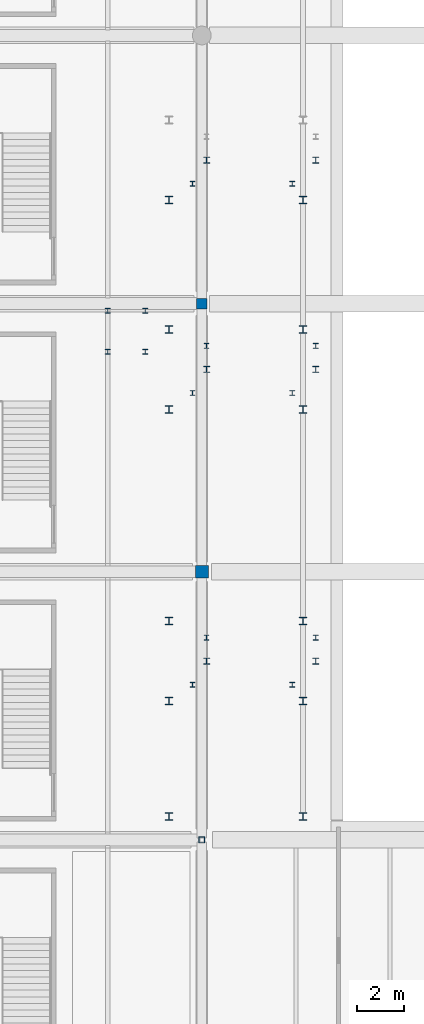
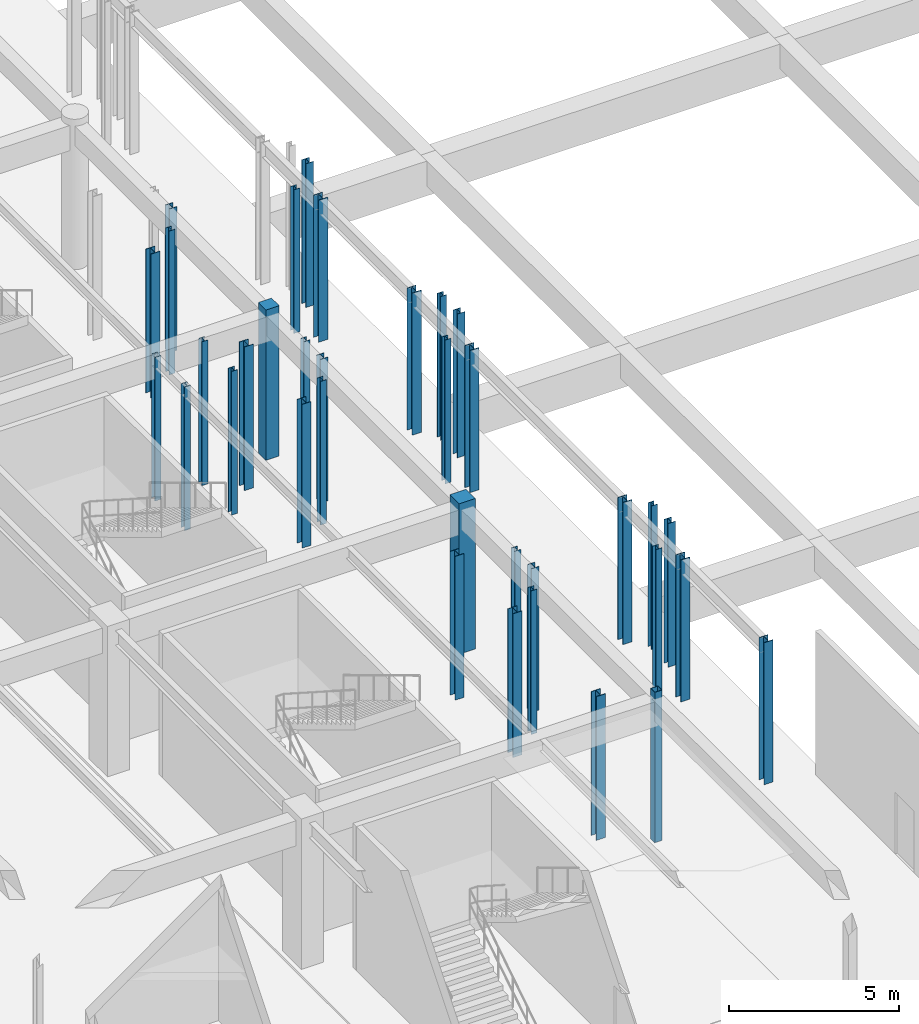
# One storey, part 19 of 113: 35 columns.
"""IFC4 building model written with IfcOpenShell, lengths in metres."""

from ifc_helpers import new_model, si_unit, direction, frame, origin, origin_2d, place, context, subcontext, project, spatial, rectangle, hollow_rectangle, i_section, extrude, material, material_profile, profile_set, type_object, element, save


model = new_model("IFC4")

# Units and contexts
model_context = context("Model", 3, precision=1e-05, world=origin(), true_north=direction((0.0, 1.0)))
body_context = subcontext(model_context, "Body", "Model", "MODEL_VIEW")
ifc_project = project(units=[si_unit("LENGTHUNIT", "METRE"), si_unit("AREAUNIT", "SQUARE_METRE"), si_unit("VOLUMEUNIT", "CUBIC_METRE"), si_unit("PLANEANGLEUNIT", "RADIAN"), si_unit("MASSUNIT", "GRAM", prefix="KILO"), si_unit("POWERUNIT", "WATT"), si_unit("THERMODYNAMICTEMPERATUREUNIT", "KELVIN")], contexts=[model_context])

# Site, building, storey
site_placement = place(None, origin())
site = spatial("IfcSite", under=ifc_project, at=site_placement, CompositionType="ELEMENT")
building_placement = place(site_placement, origin())
building = spatial("IfcBuilding", under=site, at=building_placement, Name="Kelmbourne Parkland Aquatics Centre", CompositionType="ELEMENT")
storey_placement = place(building_placement, origin())
storey = spatial("IfcBuildingStorey", under=building, at=storey_placement, Name="L00", CompositionType="ELEMENT", Elevation=0.0)

# Columns
ifc_material_1 = material(Name="Concrete C40/50", Category="concrete")
ifc_material_profile_1 = material_profile(ifc_material_1, rectangle(XDim=0.550048828125, YDim=0.550048828125, at=origin_2d()), Name="RC 550x550")
ifc_profile_set_1 = profile_set([ifc_material_profile_1], Name="Concrete C40/50")
column_type_1 = type_object("IfcColumnType", Name="COL-C07", PredefinedType="COLUMN", material=ifc_profile_set_1)
column_1_placement = place(storey_placement, frame((140.0, 46.39990234375, 0.0), z_axis=(0.0, 0.0, 1.0), x_axis=(1.0, 0.0, 0.0)))
element("IfcColumn", 1, at=column_1_placement, inside=storey, type_object=column_type_1, Name="Structural column Q-06 (L00)", PredefinedType="COLUMN", context=body_context, shape_type="SweptSolid", body=[
    extrude(rectangle(XDim=0.550048828125, YDim=0.550048828125, at=origin_2d()), origin(), (0.0, 0.0, 1.0), 5.39990234375),
])
ifc_material_profile_2 = material_profile(ifc_material_1, rectangle(XDim=0.449951171875, YDim=0.449951171875, at=origin_2d()), Name="RC 450x450")
ifc_profile_set_2 = profile_set([ifc_material_profile_2], Name="Concrete C40/50")
column_type_2 = type_object("IfcColumnType", Name="COL-C08", PredefinedType="COLUMN", material=ifc_profile_set_2)
column_2_placement = place(storey_placement, frame((140.0, 57.800048828125, 0.0), z_axis=(0.0, 0.0, 1.0), x_axis=(1.0, 0.0, 0.0)))
element("IfcColumn", 2, at=column_2_placement, inside=storey, type_object=column_type_2, Name="Structural column Q-08 (L00)", PredefinedType="COLUMN", context=body_context, shape_type="SweptSolid", body=[
    extrude(rectangle(XDim=0.449951171875, YDim=0.449951171875, at=origin_2d()), origin(), (0.0, 0.0, 1.0), 5.39990234375),
])
ifc_material_2 = material(Name="Structural steel AS/NZS 3679.1 Grade 300", Category="steel")
ifc_material_profile_3 = material_profile(ifc_material_2, i_section(OverallWidth=0.306884765625, OverallDepth=0.31494140625, WebThickness=0.011962890625, FlangeThickness=0.018798828125, at=origin_2d()), Name="310UC118")
ifc_profile_set_3 = profile_set([ifc_material_profile_3], Name="Structural steel AS/NZS 3679.1 Grade 300")
column_type_3 = type_object("IfcColumnType", Name="COL-C16", PredefinedType="COLUMN", material=ifc_profile_set_3)
column_3_placement = place(storey_placement, frame((144.300048828125, 36.0, 0.0), z_axis=(0.0, 0.0, 1.0), x_axis=(1.0, 0.0, 0.0)))
element("IfcColumn", 3, at=column_3_placement, inside=storey, type_object=column_type_3, Name="Bowl FRT L00 pier 1", PredefinedType="COLUMN", context=body_context, shape_type="SweptSolid", body=[
    extrude(i_section(OverallWidth=0.306884765625, OverallDepth=0.31494140625, WebThickness=0.011962890625, FlangeThickness=0.018798828125, at=origin_2d()), origin(), (0.0, 0.0, 1.0), 5.10009765625),
])
column_4_placement = place(storey_placement, frame((138.60009765625, 36.0, 0.0), z_axis=(0.0, 0.0, 1.0), x_axis=(1.0, 0.0, 0.0)))
element("IfcColumn", 4, at=column_4_placement, inside=storey, type_object=column_type_3, Name="Bowl RER L00 pier 1", PredefinedType="COLUMN", context=body_context, shape_type="SweptSolid", body=[
    extrude(i_section(OverallWidth=0.306884765625, OverallDepth=0.31494140625, WebThickness=0.011962890625, FlangeThickness=0.018798828125, at=origin_2d()), origin(), (0.0, 0.0, 1.0), 5.159912109375),
])
column_5_placement = place(storey_placement, frame((144.300048828125, 40.89990234375, 0.0), z_axis=(0.0, 0.0, 1.0), x_axis=(1.0, 0.0, 0.0)))
element("IfcColumn", 5, at=column_5_placement, inside=storey, type_object=column_type_3, Name="Bowl FRT L00 pier 2", PredefinedType="COLUMN", context=body_context, shape_type="SweptSolid", body=[
    extrude(i_section(OverallWidth=0.306884765625, OverallDepth=0.31494140625, WebThickness=0.011962890625, FlangeThickness=0.018798828125, at=origin_2d()), origin(), (0.0, 0.0, 1.0), 5.10009765625),
])
column_6_placement = place(storey_placement, frame((138.60009765625, 40.89990234375, 0.0), z_axis=(0.0, 0.0, 1.0), x_axis=(1.0, 0.0, 0.0)))
element("IfcColumn", 6, at=column_6_placement, inside=storey, type_object=column_type_3, Name="Bowl RER L00 pier 2", PredefinedType="COLUMN", context=body_context, shape_type="SweptSolid", body=[
    extrude(i_section(OverallWidth=0.306884765625, OverallDepth=0.31494140625, WebThickness=0.011962890625, FlangeThickness=0.018798828125, at=origin_2d()), origin(), (0.0, 0.0, 1.0), 5.159912109375),
])
column_7_placement = place(storey_placement, frame((144.300048828125, 44.300048828125, 0.0), z_axis=(0.0, 0.0, 1.0), x_axis=(1.0, 0.0, 0.0)))
element("IfcColumn", 7, at=column_7_placement, inside=storey, type_object=column_type_3, Name="Bowl FRT L00 pier 3", PredefinedType="COLUMN", context=body_context, shape_type="SweptSolid", body=[
    extrude(i_section(OverallWidth=0.306884765625, OverallDepth=0.31494140625, WebThickness=0.011962890625, FlangeThickness=0.018798828125, at=origin_2d()), origin(), (0.0, 0.0, 1.0), 5.10009765625),
])
column_8_placement = place(storey_placement, frame((138.60009765625, 44.300048828125, 0.0), z_axis=(0.0, 0.0, 1.0), x_axis=(1.0, 0.0, 0.0)))
element("IfcColumn", 8, at=column_8_placement, inside=storey, type_object=column_type_3, Name="Bowl RER L00 pier 3", PredefinedType="COLUMN", context=body_context, shape_type="SweptSolid", body=[
    extrude(i_section(OverallWidth=0.306884765625, OverallDepth=0.31494140625, WebThickness=0.011962890625, FlangeThickness=0.018798828125, at=origin_2d()), origin(), (0.0, 0.0, 1.0), 5.159912109375),
])
column_9_placement = place(storey_placement, frame((144.300048828125, 53.300048828125, 0.0), z_axis=(0.0, 0.0, 1.0), x_axis=(1.0, 0.0, 0.0)))
element("IfcColumn", 9, at=column_9_placement, inside=storey, type_object=column_type_3, Name="Bowl FRT L00 pier 4", PredefinedType="COLUMN", context=body_context, shape_type="SweptSolid", body=[
    extrude(i_section(OverallWidth=0.306884765625, OverallDepth=0.31494140625, WebThickness=0.011962890625, FlangeThickness=0.018798828125, at=origin_2d()), origin(), (0.0, 0.0, 1.0), 5.10009765625),
])
column_10_placement = place(storey_placement, frame((138.60009765625, 53.300048828125, 0.0), z_axis=(0.0, 0.0, 1.0), x_axis=(1.0, 0.0, 0.0)))
element("IfcColumn", 10, at=column_10_placement, inside=storey, type_object=column_type_3, Name="Bowl RER L00 pier 4", PredefinedType="COLUMN", context=body_context, shape_type="SweptSolid", body=[
    extrude(i_section(OverallWidth=0.306884765625, OverallDepth=0.31494140625, WebThickness=0.011962890625, FlangeThickness=0.018798828125, at=origin_2d()), origin(), (0.0, 0.0, 1.0), 5.159912109375),
])
column_11_placement = place(storey_placement, frame((144.300048828125, 56.699951171875, 0.0), z_axis=(0.0, 0.0, 1.0), x_axis=(1.0, 0.0, 0.0)))
element("IfcColumn", 11, at=column_11_placement, inside=storey, type_object=column_type_3, Name="Bowl FRT L00 pier 5", PredefinedType="COLUMN", context=body_context, shape_type="SweptSolid", body=[
    extrude(i_section(OverallWidth=0.306884765625, OverallDepth=0.31494140625, WebThickness=0.011962890625, FlangeThickness=0.018798828125, at=origin_2d()), origin(), (0.0, 0.0, 1.0), 5.10009765625),
])
column_12_placement = place(storey_placement, frame((138.60009765625, 56.699951171875, 0.0), z_axis=(0.0, 0.0, 1.0), x_axis=(1.0, 0.0, 0.0)))
element("IfcColumn", 12, at=column_12_placement, inside=storey, type_object=column_type_3, Name="Bowl RER L00 pier 5", PredefinedType="COLUMN", context=body_context, shape_type="SweptSolid", body=[
    extrude(i_section(OverallWidth=0.306884765625, OverallDepth=0.31494140625, WebThickness=0.011962890625, FlangeThickness=0.018798828125, at=origin_2d()), origin(), (0.0, 0.0, 1.0), 5.159912109375),
])
column_13_placement = place(storey_placement, frame((144.300048828125, 62.199951171875, 0.0), z_axis=(0.0, 0.0, 1.0), x_axis=(1.0, 0.0, 0.0)))
element("IfcColumn", 13, at=column_13_placement, inside=storey, type_object=column_type_3, Name="Bowl FRT L00 pier 6", PredefinedType="COLUMN", context=body_context, shape_type="SweptSolid", body=[
    extrude(i_section(OverallWidth=0.306884765625, OverallDepth=0.31494140625, WebThickness=0.011962890625, FlangeThickness=0.018798828125, at=origin_2d()), origin(), (0.0, 0.0, 1.0), 5.10009765625),
])
column_14_placement = place(storey_placement, frame((138.60009765625, 62.199951171875, 0.0), z_axis=(0.0, 0.0, 1.0), x_axis=(1.0, 0.0, 0.0)))
element("IfcColumn", 14, at=column_14_placement, inside=storey, type_object=column_type_3, Name="Bowl RER L00 pier 6", PredefinedType="COLUMN", context=body_context, shape_type="SweptSolid", body=[
    extrude(i_section(OverallWidth=0.306884765625, OverallDepth=0.31494140625, WebThickness=0.011962890625, FlangeThickness=0.018798828125, at=origin_2d()), origin(), (0.0, 0.0, 1.0), 5.159912109375),
])
ifc_material_profile_4 = material_profile(ifc_material_2, i_section(OverallWidth=0.25390625, OverallDepth=0.25390625, WebThickness=0.008544921875, FlangeThickness=0.01416015625, at=origin_2d()), Name="250UC72.9")
ifc_profile_set_4 = profile_set([ifc_material_profile_4], Name="Structural steel AS/NZS 3679.1 Grade 300")
column_type_4 = type_object("IfcColumnType", Name="COL-C18", PredefinedType="COLUMN", material=ifc_profile_set_4)
for number, where, z_axis, x_axis, name in (
    (15, (144.840087890625, 42.60009765625, 0.0), (0.0, 0.0, 1.0), (1.0, 0.0, 0.0), "VM01 BOT1 L00 pier"),
    (16, (140.199951171875, 42.60009765625, 0.0), (0.0, 0.0, 1.0), (1.0, 0.0, 0.0), "VM01 TOP1 L00 pier"),
    (17, (144.840087890625, 55.0, 0.0), (0.0, 0.0, 1.0), (1.0, 0.0, 0.0), "VM02 BOT1 L00 pier"),
    (18, (140.199951171875, 55.0, 0.0), (0.0, 0.0, 1.0), (1.0, 0.0, 0.0), "VM02 TOP1 L00 pier"),
    (19, (144.840087890625, 63.89990234375, 0.0), (0.0, 0.0, 1.0), (1.0, 0.0, 0.0), "VM03 BOT1 L00 pier"),
    (20, (140.199951171875, 63.89990234375, 0.0), (0.0, 0.0, 1.0), (1.0, 0.0, 0.0), "VM03 TOP1 L00 pier"),
):
    element("IfcColumn", number, at=place(storey_placement, frame(where, z_axis=z_axis, x_axis=x_axis)), inside=storey, type_object=column_type_4, Name=name, PredefinedType="COLUMN", context=body_context, shape_type="SweptSolid", body=[
        extrude(i_section(OverallWidth=0.25390625, OverallDepth=0.25390625, WebThickness=0.008544921875, FlangeThickness=0.01416015625, at=origin_2d()), origin(), (0.0, 0.0, 1.0), 5.159912109375),
    ])
ifc_material_profile_5 = material_profile(ifc_material_2, i_section(OverallWidth=0.205078125, OverallDepth=0.2099609375, WebThickness=0.00927734375, FlangeThickness=0.01416015625, at=origin_2d()), Name="200UC59.5")
ifc_profile_set_5 = profile_set([ifc_material_profile_5], Name="Structural steel AS/NZS 3679.1 Grade 300")
column_type_5 = type_object("IfcColumnType", Name="COL-C19", PredefinedType="COLUMN", material=ifc_profile_set_5)
for number, where, z_axis, x_axis, name in (
    (21, (136.0, 55.75, 0.0), (0.0, 0.0, 1.0), (1.0, 0.0, 0.0), "FS02 L00 post 1"),
    (22, (137.60009765625, 55.75, 0.0), (0.0, 0.0, 1.0), (1.0, 0.0, 0.0), "FS02 L00 post 2"),
    (23, (136.0, 57.5, 0.0), (0.0, 0.0, 1.0), (1.0, 0.0, 0.0), "FS02 L00 post 3"),
    (24, (137.60009765625, 57.5, 0.0), (0.0, 0.0, 1.0), (1.0, 0.0, 0.0), "FS02 L00 post 4"),
    (25, (144.840087890625, 43.60009765625, 0.0), (0.0, 0.0, 1.0), (1.0, 0.0, 0.0), "VM01 BOT2 L00 pier"),
    (26, (143.840087890625, 41.60009765625, 0.0), (0.0, 0.0, 1.0), (1.0, 0.0, 0.0), "VM01 BOT3 L00 pier"),
    (27, (140.199951171875, 43.60009765625, 0.0), (0.0, 0.0, 1.0), (1.0, 0.0, 0.0), "VM01 TOP2 L00 pier"),
    (28, (139.60009765625, 41.60009765625, 0.0), (0.0, 0.0, 1.0), (1.0, 0.0, 0.0), "VM01 TOP3 L00 pier"),
    (29, (144.840087890625, 56.0, 0.0), (0.0, 0.0, 1.0), (1.0, 0.0, 0.0), "VM02 BOT2 L00 pier"),
    (30, (143.840087890625, 54.0, 0.0), (0.0, 0.0, 1.0), (1.0, 0.0, 0.0), "VM02 BOT3 L00 pier"),
    (31, (140.199951171875, 56.0, 0.0), (0.0, 0.0, 1.0), (1.0, 0.0, 0.0), "VM02 TOP2 L00 pier"),
    (32, (139.60009765625, 54.0, 0.0), (0.0, 0.0, 1.0), (1.0, 0.0, 0.0), "VM02 TOP3 L00 pier"),
    (33, (143.840087890625, 62.89990234375, 0.0), (0.0, 0.0, 1.0), (1.0, 0.0, 0.0), "VM03 BOT3 L00 pier"),
    (34, (139.60009765625, 62.89990234375, 0.0), (0.0, 0.0, 1.0), (1.0, 0.0, 0.0), "VM03 TOP3 L00 pier"),
):
    element("IfcColumn", number, at=place(storey_placement, frame(where, z_axis=z_axis, x_axis=x_axis)), inside=storey, type_object=column_type_5, Name=name, PredefinedType="COLUMN", context=body_context, shape_type="SweptSolid", body=[
        extrude(i_section(OverallWidth=0.205078125, OverallDepth=0.2099609375, WebThickness=0.00927734375, FlangeThickness=0.01416015625, at=origin_2d()), origin(), (0.0, 0.0, 1.0), 5.159912109375),
    ])
ifc_material_3 = material(Name="Cold-formed hollow steel AS/NZS 1163 C350L0", Category="steel")
ifc_material_profile_6 = material_profile(ifc_material_3, hollow_rectangle(XDim=0.25, YDim=0.25, WallThickness=0.012451171875, at=origin_2d()), Name="SHS 250x250x12.5")
ifc_profile_set_6 = profile_set([ifc_material_profile_6], Name="Cold-formed hollow steel AS/NZS 1163 C350L0")
column_type_6 = type_object("IfcColumnType", Name="COL-C23", PredefinedType="COLUMN", material=ifc_profile_set_6)
column_15_placement = place(storey_placement, frame((140.0, 35.0, 0.0), z_axis=(0.0, 0.0, 1.0), x_axis=(1.0, 0.0, 0.0)))
element("IfcColumn", 35, at=column_15_placement, inside=storey, type_object=column_type_6, Name="Structural column Q-05 (L00)", PredefinedType="COLUMN", context=body_context, shape_type="SweptSolid", body=[
    extrude(hollow_rectangle(XDim=0.25, YDim=0.25, WallThickness=0.012451171875, at=origin_2d()), origin(), (0.0, 0.0, 1.0), 5.39990234375),
])

save(model, "model.ifc")
